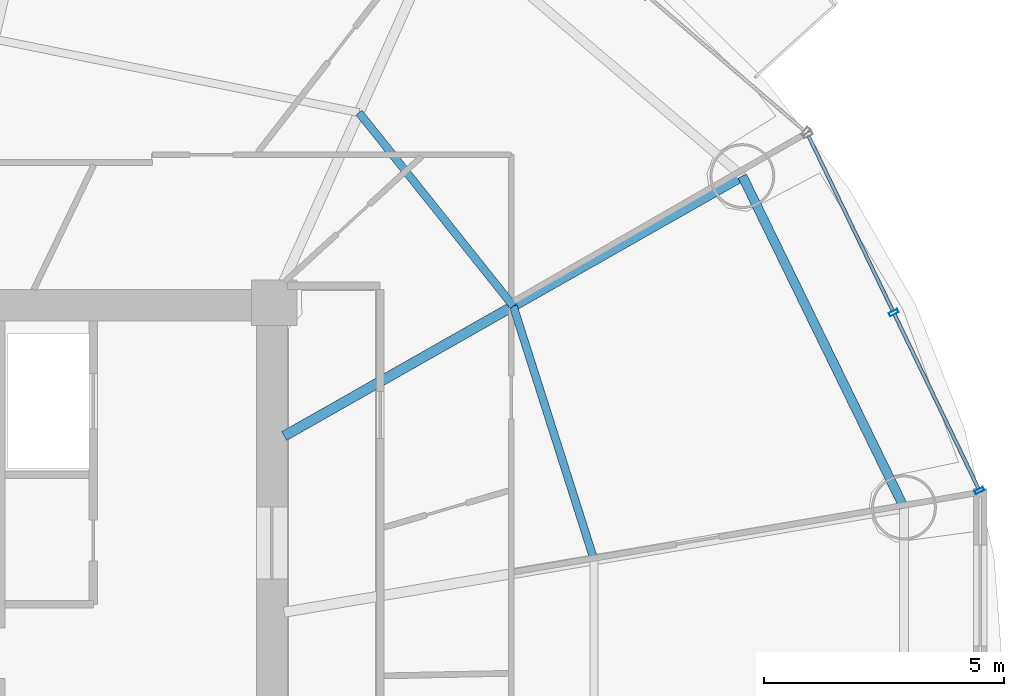
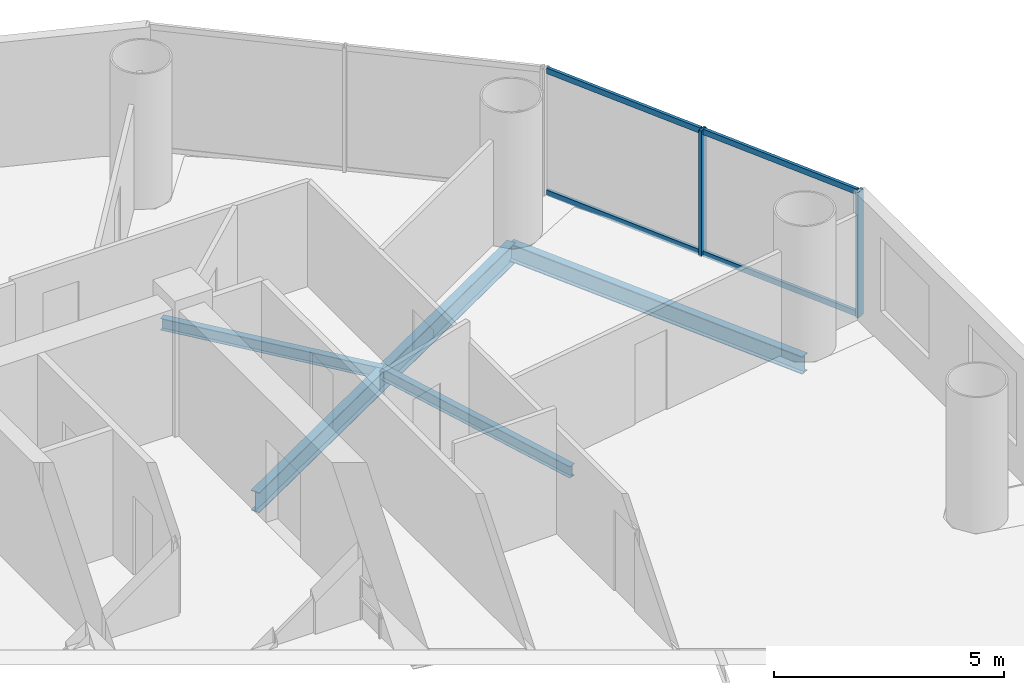
# One storey, part 13 of 27: 6 members, 4 beams, 1 element without a shape of its own.
"""IFC4 building model written with IfcOpenShell, lengths in metres."""

from ifc_helpers import new_model, si_unit, direction, frame, origin, origin_2d, place, context, subcontext, project, spatial, hollow_rectangle, i_section, extrude, source, transform, mapped, material, material_profile, profile_set, type_object, element, aggregate, save


model = new_model("IFC4")

# Units and contexts
model_context = context("Model", 3, precision=1e-05, world=origin(), true_north=direction((-0.2419218956, 0.970295726276)))
body_context = subcontext(model_context, "Body", "Model", "MODEL_VIEW")
ifc_project = project(units=[si_unit("LENGTHUNIT", "METRE"), si_unit("AREAUNIT", "SQUARE_METRE"), si_unit("VOLUMEUNIT", "CUBIC_METRE"), si_unit("PLANEANGLEUNIT", "RADIAN"), si_unit("MASSUNIT", "GRAM", prefix="KILO")], contexts=[model_context])

# Site, building, storey
site_placement = place(None, origin())
site = spatial("IfcSite", under=ifc_project, at=site_placement, CompositionType="ELEMENT")
building_placement = place(site_placement, origin())
building = spatial("IfcBuilding", under=site, at=building_placement, Name="Cobrevalo Terracotta Tower", CompositionType="ELEMENT")
storey_placement = place(building_placement, frame((0.0, 0.0, 153.39990234375)))
storey = spatial("IfcBuildingStorey", under=building, at=storey_placement, Name="L40", CompositionType="ELEMENT", Elevation=153.39990234375)

# Beams
ifc_material_1 = material(Name="Steel S355", Category="steel")
ifc_material_profile_1 = material_profile(ifc_material_1, i_section(OverallWidth=0.2109375, OverallDepth=0.5390625, WebThickness=0.01171875, FlangeThickness=0.018798828125, at=origin_2d()), Name="W 530x109")
ifc_profile_set_1 = profile_set([ifc_material_profile_1], Name="Steel S355")
beam_type_1 = type_object("IfcBeamType", Name="Structural Beam W 530x109 (Steel S355)", PredefinedType="BEAM", material=ifc_profile_set_1)
beam_1_placement = place(storey_placement, frame((56.749755859375, 37.439208984375, -0.539306640625), z_axis=(-0.869734177783, -0.493520475762, 0.0), x_axis=(0.493520475762, -0.869734177783, 0.0)))
element("IfcBeam", 1, at=beam_1_placement, inside=storey, type_object=beam_type_1, Name="L40 radial floor girder 02", PredefinedType="BEAM", context=body_context, shape_type="SweptSolid", body=[
    extrude(i_section(OverallWidth=0.2109375, OverallDepth=0.5390625, WebThickness=0.01171875, FlangeThickness=0.018798828125, at=origin_2d()), origin(), (0.0, 0.0, 1.0), 10.974365234375),
])
ifc_material_profile_2 = material_profile(ifc_material_1, i_section(OverallWidth=0.1650390625, OverallDepth=0.31005859375, WebThickness=0.005859375, FlangeThickness=0.009765625, at=origin_2d()), Name="W 310x38.7")
ifc_profile_set_2 = profile_set([ifc_material_profile_2], Name="Steel S355")
beam_type_2 = type_object("IfcBeamType", Name="Structural Joist W 310x38.7 (Steel S355)", PredefinedType="JOIST", material=ifc_profile_set_2)
beam_2_placement = place(storey_placement, frame((53.660888671875, 29.445556640625, -0.4248046875), z_axis=(-0.303497928386, 0.952832098255, 0.0), x_axis=(-0.952832098255, -0.303497928386, 0.0)))
element("IfcBeam", 2, at=beam_2_placement, inside=storey, type_object=beam_type_2, Name="L40 circumferential secondary floor joist 01", PredefinedType="JOIST", context=body_context, shape_type="SweptSolid", body=[
    extrude(i_section(OverallWidth=0.1650390625, OverallDepth=0.31005859375, WebThickness=0.005859375, FlangeThickness=0.009765625, at=origin_2d()), origin(), (0.0, 0.0, 1.0), 5.54736328125),
])
beam_3_placement = place(storey_placement, frame((51.977294921875, 34.731201171875, -0.4248046875), z_axis=(-0.62340602772, 0.781898282773, 0.0), x_axis=(-0.781898282773, -0.62340602772, 0.0)))
element("IfcBeam", 3, at=beam_3_placement, inside=storey, type_object=beam_type_2, Name="L40 circumferential secondary floor joist 02", PredefinedType="JOIST", context=body_context, shape_type="SweptSolid", body=[
    extrude(i_section(OverallWidth=0.1650390625, OverallDepth=0.31005859375, WebThickness=0.005859375, FlangeThickness=0.009765625, at=origin_2d()), origin(), (0.0, 0.0, 1.0), 5.154052734375),
])
ifc_material_profile_3 = material_profile(ifc_material_1, i_section(OverallWidth=0.194091796875, OverallDepth=0.468994140625, WebThickness=0.011474609375, FlangeThickness=0.0205078125, at=origin_2d()), Name="W 460x106")
ifc_profile_set_3 = profile_set([ifc_material_profile_3], Name="Steel S355")
beam_type_3 = type_object("IfcBeamType", Name="Structural Spandrel W 460x106 (Steel S355)", PredefinedType="SPANDREL", material=ifc_profile_set_3)
beam_4_placement = place(storey_placement, frame((60.11669921875, 30.535888671875, -0.50439453125), z_axis=(-0.438367894028, 0.89879563277, 0.0), x_axis=(-0.89879563277, -0.438367894028, 0.0)))
element("IfcBeam", 4, at=beam_4_placement, inside=storey, type_object=beam_type_3, Name="L40 perimeter ring spandrel 01", PredefinedType="SPANDREL", context=body_context, shape_type="SweptSolid", body=[
    extrude(i_section(OverallWidth=0.194091796875, OverallDepth=0.468994140625, WebThickness=0.011474609375, FlangeThickness=0.0205078125, at=origin_2d()), origin(), (0.0, 0.0, 1.0), 7.6806640625),
])

# Curtain wall, members
ifc_material_2 = material(Name="Anodized aluminium", Category="aluminium")
curtain_wall_type = type_object("IfcCurtainWallType", Name="Mid-tower high-wind unitised curtain wall CW-U2", PredefinedType="NOTDEFINED", material=ifc_material_2)
curtain_wall_placement = place(storey_placement, origin())
curtain_wall = element("IfcCurtainWall", 5, at=curtain_wall_placement, inside=storey, type_object=curtain_wall_type, Name="L40 curtain wall CW-L40-S01", PredefinedType="NOTDEFINED")
ifc_material_profile_4 = material_profile(ifc_material_2, hollow_rectangle(XDim=0.074951171875, YDim=0.199951171875, WallThickness=0.0048828125, at=origin_2d()), Name="CWM 75x200")
ifc_profile_set_4 = profile_set([ifc_material_profile_4], Name="Anodized aluminium")
member_type_1 = type_object("IfcMemberType", Name="Lower/mid tower unitised mullion 75x200", PredefinedType="MULLION", material=ifc_profile_set_4)
shared_shape_1 = source(origin(), body_context, "Body", "SweptSolid", [
    extrude(hollow_rectangle(XDim=0.074951171875, YDim=0.199951171875, WallThickness=0.0048828125, at=origin_2d()), origin(), (0.0, 0.0, 1.0), 3.330078125),
])
member_1_placement = place(storey_placement, frame((61.688232421875, 30.887939453125, 0.0), z_axis=(0.0, 0.0, 1.0), x_axis=(-0.434209440271, 0.900811945957, 0.0)))
member_1 = element("IfcMember", 6, at=member_1_placement, type_object=member_type_1, Name="CW-L40-S01 vertical mullion 01", PredefinedType="MULLION", context=body_context, shape_type="MappedRepresentation", body=[
    mapped(shared_shape_1, transform((0.0, 0.0, 0.0), scale=1.0)),
])
member_2_placement = place(storey_placement, frame((59.901123046875, 34.595703125, 0.0), z_axis=(0.0, 0.0, 1.0), x_axis=(-0.434209440271, 0.900811945957, 0.0)))
member_2 = element("IfcMember", 7, at=member_2_placement, type_object=member_type_1, Name="CW-L40-S01 vertical mullion 02", PredefinedType="MULLION", context=body_context, shape_type="MappedRepresentation", body=[
    mapped(shared_shape_1, transform((0.0, 0.0, 0.0), scale=1.0)),
])
ifc_material_profile_5 = material_profile(ifc_material_2, hollow_rectangle(XDim=0.074951171875, YDim=0.14990234375, WallThickness=0.00439453125, at=origin_2d()), Name="CWT 75x150")
ifc_profile_set_5 = profile_set([ifc_material_profile_5], Name="Anodized aluminium")
member_type_2 = type_object("IfcMemberType", Name="Tower unitised aluminium transom 75x150", PredefinedType="USERDEFINED", material=ifc_profile_set_5)
shared_shape_2 = source(origin(), body_context, "Body", "SweptSolid", [
    extrude(hollow_rectangle(XDim=0.074951171875, YDim=0.14990234375, WallThickness=0.00439453125, at=origin_2d()), origin(), (0.0, 0.0, 1.0), 4.035888671875),
])
member_3_placement = place(storey_placement, frame((61.6708984375, 30.924072265625, 0.050048828125), z_axis=(-0.434221176581, 0.900806288726, 0.0), x_axis=(-0.900806288726, -0.434221176581, 0.0)))
member_3 = element("IfcMember", 8, at=member_3_placement, type_object=member_type_2, Name="CW-L40-S01 transom B01-T1", ObjectType="TRANSOM", PredefinedType="USERDEFINED", context=body_context, shape_type="MappedRepresentation", body=[
    mapped(shared_shape_2, transform((0.0, 0.0, 0.0), scale=1.0)),
])
member_4_placement = place(storey_placement, frame((61.6708984375, 30.924072265625, 3.280029296875), z_axis=(-0.434221176581, 0.900806288726, 0.0), x_axis=(-0.900806288726, -0.434221176581, 0.0)))
member_4 = element("IfcMember", 9, at=member_4_placement, type_object=member_type_2, Name="CW-L40-S01 transom B01-T2", ObjectType="TRANSOM", PredefinedType="USERDEFINED", context=body_context, shape_type="MappedRepresentation", body=[
    mapped(shared_shape_2, transform((0.0, 0.0, 0.0), scale=1.0)),
])
member_5_placement = place(storey_placement, frame((59.8837890625, 34.631591796875, 0.050048828125), z_axis=(-0.434221176581, 0.900806288726, 0.0), x_axis=(-0.900806288726, -0.434221176581, 0.0)))
member_5 = element("IfcMember", 10, at=member_5_placement, type_object=member_type_2, Name="CW-L40-S01 transom B02-T1", ObjectType="TRANSOM", PredefinedType="USERDEFINED", context=body_context, shape_type="MappedRepresentation", body=[
    mapped(shared_shape_2, transform((0.0, 0.0, 0.0), scale=1.0)),
])
member_6_placement = place(storey_placement, frame((59.8837890625, 34.631591796875, 3.280029296875), z_axis=(-0.434221176581, 0.900806288726, 0.0), x_axis=(-0.900806288726, -0.434221176581, 0.0)))
member_6 = element("IfcMember", 11, at=member_6_placement, type_object=member_type_2, Name="CW-L40-S01 transom B02-T2", ObjectType="TRANSOM", PredefinedType="USERDEFINED", context=body_context, shape_type="MappedRepresentation", body=[
    mapped(shared_shape_2, transform((0.0, 0.0, 0.0), scale=1.0)),
])
aggregate(curtain_wall, [member_1, member_2, member_3, member_4, member_5, member_6])

save(model, "model.ifc")
